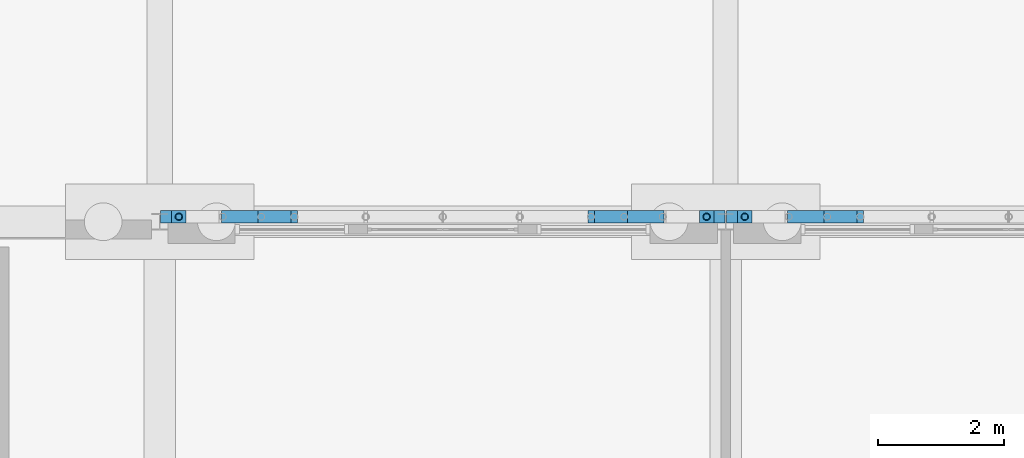
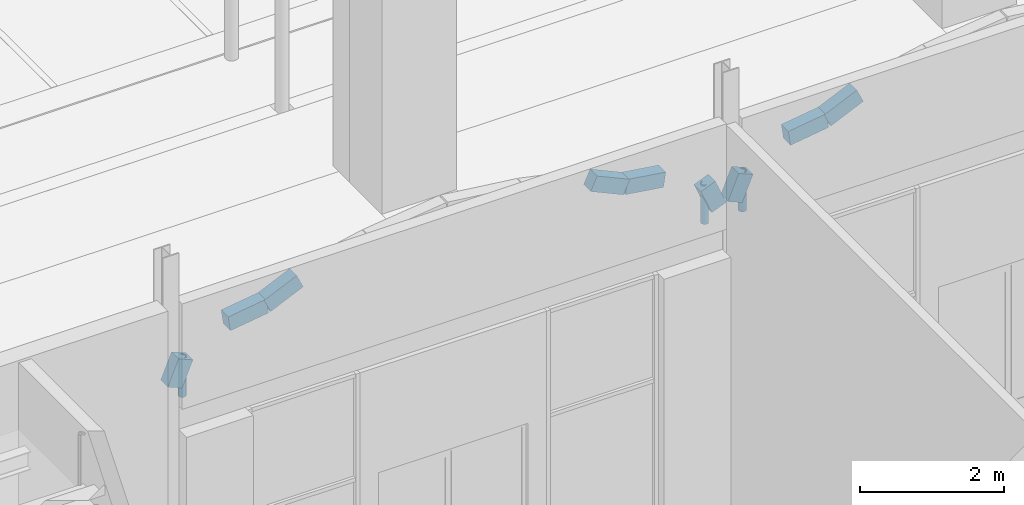
# One storey, part 71 of 250: 9 beams, 3 members.
"""IFC4 building model written with IfcOpenShell, lengths in metres."""

from ifc_helpers import new_model, si_unit, direction, frame, origin, origin_2d, place, context, subcontext, project, spatial, rectangle, hollow_circle, extrude, material, material_profile, profile_set, type_object, element, save


model = new_model("IFC4")

# Units and contexts
model_context = context("Model", 3, precision=1e-05, world=origin(), true_north=direction((0.0, 1.0)))
body_context = subcontext(model_context, "Body", "Model", "MODEL_VIEW")
ifc_project = project(units=[si_unit("LENGTHUNIT", "METRE"), si_unit("AREAUNIT", "SQUARE_METRE"), si_unit("VOLUMEUNIT", "CUBIC_METRE"), si_unit("PLANEANGLEUNIT", "RADIAN"), si_unit("MASSUNIT", "GRAM", prefix="KILO")], contexts=[model_context])

# Site, building, storey
site_placement = place(None, origin())
site = spatial("IfcSite", under=ifc_project, at=site_placement, CompositionType="ELEMENT")
building_placement = place(site_placement, origin())
building = spatial("IfcBuilding", under=site, at=building_placement, Name="Baradari Gate Terminus", CompositionType="ELEMENT")
storey_placement = place(building_placement, origin())
storey = spatial("IfcBuildingStorey", under=building, at=storey_placement, Name="L00", CompositionType="ELEMENT", Elevation=0.0)

# Members
ifc_material_1 = material(Name="Steel S355", Category="steel")
ifc_material_profile_1 = material_profile(ifc_material_1, hollow_circle(Radius=0.05712890625, WallThickness=0.00634765625, at=origin_2d()), Name="CHS 114.3x6.3")
ifc_profile_set_1 = profile_set([ifc_material_profile_1], Name="Steel S355")
member_type = type_object("IfcMemberType", Name="Arcade arch post SP-2 114x6.3", PredefinedType="POST", material=ifc_profile_set_1)
for number, where, z_axis, x_axis, name in (
    (1, (189.302978515625, 108.07861328125, 4.89990234375), (0.0, 0.0, 1.0), (1.0, 0.0, 0.0), "Arcade arch post 21.2"),
    (2, (197.697021484375, 108.07861328125, 4.89990234375), (0.0, 0.0, 1.0), (1.0, 0.0, 0.0), "Arcade arch post 21.12"),
    (3, (198.302978515625, 108.07861328125, 4.89990234375), (0.0, 0.0, 1.0), (1.0, 0.0, 0.0), "Arcade arch post 22.2"),
):
    element("IfcMember", number, at=place(storey_placement, frame(where, z_axis=z_axis, x_axis=x_axis)), inside=storey, type_object=member_type, Name=name, PredefinedType="POST", context=body_context, shape_type="SweptSolid", body=[
        extrude(hollow_circle(Radius=0.05712890625, WallThickness=0.00634765625, at=origin_2d()), origin(), (0.0, 0.0, 1.0), 0.66796875),
    ])

# Beams
ifc_material_2 = material(Name="Concrete C40/50 precast", Category="concrete")
ifc_material_profile_2 = material_profile(ifc_material_2, rectangle(XDim=0.199951171875, YDim=0.25, at=origin_2d()), Name="AB-1 200X250")
ifc_profile_set_2 = profile_set([ifc_material_profile_2], Name="Concrete C40/50 precast")
beam_type = type_object("IfcBeamType", Name="Arcade arch segment AB-1 200x250", PredefinedType="BEAM", material=ifc_profile_set_2)
beam_1_placement = place(storey_placement, frame((189.128173828125, 108.07861328125, 5.14990234375), z_axis=(0.385839488106, 0.0, 0.922565926868), x_axis=(0.0, 1.0, 0.0)))
element("IfcBeam", 4, at=beam_1_placement, inside=storey, type_object=beam_type, Name="Arcade arch AB-1 bay 21 segment 1", PredefinedType="BEAM", context=body_context, shape_type="SweptSolid", body=[
    extrude(rectangle(XDim=0.199951171875, YDim=0.25, at=origin_2d()), origin(), (0.0, 0.0, 1.0), 0.453125),
])
beam_2_placement = place(storey_placement, frame((190.00244140625, 108.07861328125, 5.92578125), z_axis=(0.989454167091, 0.0, 0.144846302083), x_axis=(0.0, 1.0, 0.0)))
element("IfcBeam", 5, at=beam_2_placement, inside=storey, type_object=beam_type, Name="Arcade arch AB-1 bay 21 segment 3", PredefinedType="BEAM", context=body_context, shape_type="SweptSolid", body=[
    extrude(rectangle(XDim=0.199951171875, YDim=0.25, at=origin_2d()), origin(), (0.0, 0.0, 1.0), 0.61865234375),
])
for number, where, z_axis, x_axis, name in (
    (6, (190.614501953125, 108.07861328125, 6.015380859375), (0.910177822616, 0.0, 0.414217734071), (0.0, 1.0, 0.0), "Arcade arch AB-1 bay 21 segment 4"),
    (7, (195.86083984375, 108.07861328125, 6.254150390625), (0.910177822616, 0.0, -0.414217734071), (0.0, 1.0, 0.0), "Arcade arch AB-1 bay 21 segment 9"),
):
    element("IfcBeam", number, at=place(storey_placement, frame(where, z_axis=z_axis, x_axis=x_axis)), inside=storey, type_object=beam_type, Name=name, PredefinedType="BEAM", context=body_context, shape_type="SweptSolid", body=[
        extrude(rectangle(XDim=0.199951171875, YDim=0.25, at=origin_2d()), origin(), (0.0, 0.0, 1.0), 0.576416015625),
    ])
beam_3_placement = place(storey_placement, frame((196.385498046875, 108.07861328125, 6.015380859375), z_axis=(0.989454167091, 0.0, -0.144846302083), x_axis=(0.0, 1.0, 0.0)))
element("IfcBeam", 8, at=beam_3_placement, inside=storey, type_object=beam_type, Name="Arcade arch AB-1 bay 21 segment 10", PredefinedType="BEAM", context=body_context, shape_type="SweptSolid", body=[
    extrude(rectangle(XDim=0.199951171875, YDim=0.25, at=origin_2d()), origin(), (0.0, 0.0, 1.0), 0.61865234375),
])
for number, where, z_axis, x_axis, name in (
    (9, (197.697021484375, 108.07861328125, 5.56787109375), (0.385839488106, 0.0, -0.922565926868), (0.0, 1.0, 0.0), "Arcade arch AB-1 bay 21 segment 12"),
    (10, (198.128173828125, 108.07861328125, 5.14990234375), (0.385839488106, 0.0, 0.922565926868), (0.0, 1.0, 0.0), "Arcade arch AB-1 bay 22 segment 1"),
):
    element("IfcBeam", number, at=place(storey_placement, frame(where, z_axis=z_axis, x_axis=x_axis)), inside=storey, type_object=beam_type, Name=name, PredefinedType="BEAM", context=body_context, shape_type="SweptSolid", body=[
        extrude(rectangle(XDim=0.199951171875, YDim=0.25, at=origin_2d()), origin(), (0.0, 0.0, 1.0), 0.453125),
    ])
beam_4_placement = place(storey_placement, frame((199.00244140625, 108.07861328125, 5.92578125), z_axis=(0.989454167091, 0.0, 0.144846302083), x_axis=(0.0, 1.0, 0.0)))
element("IfcBeam", 11, at=beam_4_placement, inside=storey, type_object=beam_type, Name="Arcade arch AB-1 bay 22 segment 3", PredefinedType="BEAM", context=body_context, shape_type="SweptSolid", body=[
    extrude(rectangle(XDim=0.199951171875, YDim=0.25, at=origin_2d()), origin(), (0.0, 0.0, 1.0), 0.61865234375),
])
beam_5_placement = place(storey_placement, frame((199.614501953125, 108.07861328125, 6.015380859375), z_axis=(0.910177822616, 0.0, 0.414217734071), x_axis=(0.0, 1.0, 0.0)))
element("IfcBeam", 12, at=beam_5_placement, inside=storey, type_object=beam_type, Name="Arcade arch AB-1 bay 22 segment 4", PredefinedType="BEAM", context=body_context, shape_type="SweptSolid", body=[
    extrude(rectangle(XDim=0.199951171875, YDim=0.25, at=origin_2d()), origin(), (0.0, 0.0, 1.0), 0.576416015625),
])

save(model, "model.ifc")
